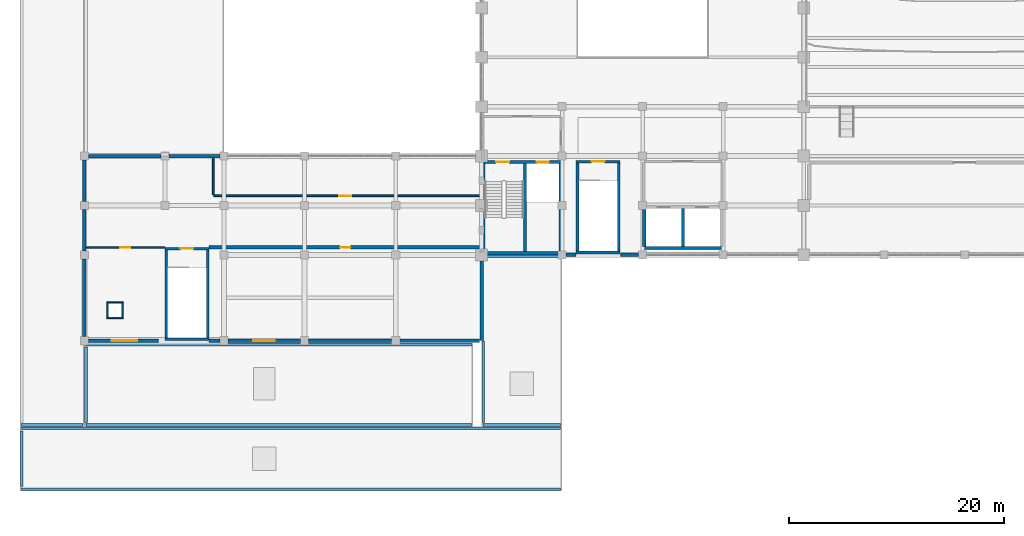
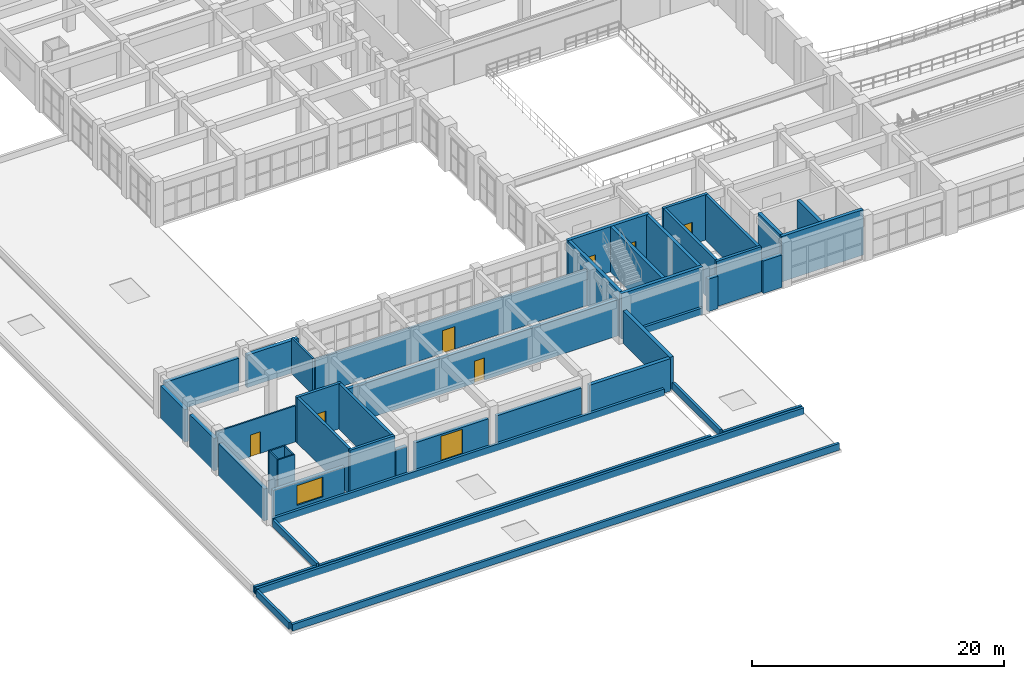
# One storey, part 67 of 90: 47 walls, 7 doors, 2 windows, 9 openings.
"""IFC4 building model written with IfcOpenShell, lengths in metres."""

from ifc_helpers import new_model, si_unit, direction, frame, frame_2d, origin, place, context, subcontext, project, spatial, rectangle, extrude, material, layer, layer_set, type_object, element, fill, save


model = new_model("IFC4")

# Units and contexts
model_context = context("Model", 3, precision=1e-05, world=origin(), true_north=direction((0.0, 1.0)))
body_context = subcontext(model_context, "Body", "Model", "MODEL_VIEW")
ifc_project = project(units=[si_unit("LENGTHUNIT", "METRE"), si_unit("AREAUNIT", "SQUARE_METRE"), si_unit("VOLUMEUNIT", "CUBIC_METRE"), si_unit("PLANEANGLEUNIT", "RADIAN"), si_unit("MASSUNIT", "GRAM", prefix="KILO")], contexts=[model_context])

# Site, building, storey
site_placement = place(None, origin())
site = spatial("IfcSite", under=ifc_project, at=site_placement, CompositionType="ELEMENT")
building_placement = place(site_placement, origin())
building = spatial("IfcBuilding", under=site, at=building_placement, Name="Muzn Square Opera House", CompositionType="ELEMENT")
storey_placement = place(building_placement, frame((0.0, 0.0, 9.800048828125)))
storey = spatial("IfcBuildingStorey", under=building, at=storey_placement, Name="L02", CompositionType="ELEMENT", Elevation=9.800048828125)

# Wall, opening, door
ifc_material_1 = material(Name="Acoustic gypsum stud partition", Category="gypsum")
ifc_layer_1 = layer(ifc_material_1, 0.320068359375, Name="Acoustic gypsum stud partition", Category="gypsum")
ifc_layer_set_1 = layer_set([ifc_layer_1], Name="Acoustic gypsum stud partition")
wall_type_1 = type_object("IfcWallType", Name="Acoustic Studio Double Wall 320mm", PredefinedType="PARTITIONING", material=ifc_layer_set_1)
wall_1_placement = place(storey_placement, frame((17.60498046875, 22.699951171875, 0.0), z_axis=(0.0, 0.0, 1.0), x_axis=(1.0, 0.0, 0.0)))
wall_1 = element("IfcWall", 1, at=wall_1_placement, inside=storey, type_object=wall_type_1, Name="Interior Partition PW-L02-0273", PredefinedType="PARTITIONING", context=body_context, shape_type="SweptSolid", body=[
    extrude(rectangle(XDim=25.39013671875, YDim=0.320068359375, at=frame_2d((12.695068359375, 0.0))), origin(), (0.0, 0.0, 1.0), 3.5),
])
opening_1_placement = place(wall_1_placement, frame((12.219970703125, 0.0, 0.0)))
opening_1 = element("IfcOpeningElement", 2, at=opening_1_placement, cuts=wall_1, Name="Opening DR-OF95", PredefinedType="OPENING", context=body_context, shape_type="SweptSolid", body=[
    extrude(rectangle(XDim=0.949951171875, YDim=2.14990234375, at=frame_2d((0.47509765625, 1.074951171875))), frame((0.0, 0.169921875, 0.0), z_axis=(0.0, -1.0, 0.0), x_axis=(1.0, 0.0, 0.0)), (0.0, 0.0, 1.0), 0.340087890625),
])
ifc_material_2 = material(Name="Acoustic hardwood leaf", Category="wood")
door_type_1 = type_object("IfcDoorType", Name="Office Room Door 950x2150", OperationType="NOTDEFINED", PredefinedType="DOOR", material=ifc_material_2)
door_1_placement = place(opening_1_placement, origin())
door_1 = element("IfcDoor", 3, at=door_1_placement, inside=storey, type_object=door_type_1, Name="Costume Dyeing and Fitting Studio Door DR-L02-0085", OperationType="SINGLE_SWING_RIGHT", OverallHeight=2.14990234375, OverallWidth=0.949951171875, PredefinedType="DOOR", context=body_context, shape_type="SweptSolid", body=[
    extrude(rectangle(XDim=0.949951171875, YDim=2.14990234375, at=frame_2d((0.47509765625, 1.074951171875))), frame((0.0, 0.02490234375, 0.0), z_axis=(0.0, -1.0, 0.0), x_axis=(1.0, 0.0, 0.0)), (0.0, 0.0, 1.0), 0.050048828125),
])
fill(opening_1, door_1)

# Walls
ifc_material_3 = material(Name="Concrete C45/55", Category="concrete")
ifc_layer_2 = layer(ifc_material_3, 0.25, Name="Concrete C45/55", Category="concrete")
ifc_layer_set_2 = layer_set([ifc_layer_2], Name="Concrete C45/55")
wall_type_2 = type_object("IfcWallType", Name="Aux Stair Enclosure Wall 250mm", PredefinedType="SHEAR", material=ifc_layer_set_2)
wall_2_placement = place(storey_placement, frame((13.5, 14.125, 0.0), z_axis=(0.0, 0.0, 1.0), x_axis=(1.0, 0.0, 0.0)))
element("IfcWall", 4, at=wall_2_placement, inside=storey, type_object=wall_type_2, Name="Escape Stair ST-7 Wall S L02", PredefinedType="SHEAR", context=body_context, shape_type="SweptSolid", body=[
    extrude(rectangle(XDim=4.10009765625, YDim=0.25, at=frame_2d((2.050048828125, 0.0))), origin(), (0.0, 0.0, 1.0), 4.39990234375),
])
for number, where, z_axis, x_axis, name in (
    (5, (13.625, 14.25, 0.0), (0.0, 0.0, 1.0), (0.0, 1.0, 0.0), "Escape Stair ST-7 Wall W L02"),
    (6, (17.47509765625, 14.25, 0.0), (0.0, 0.0, 1.0), (0.0, 1.0, 0.0), "Escape Stair ST-7 Wall E L02"),
):
    element("IfcWall", number, at=place(storey_placement, frame(where, z_axis=z_axis, x_axis=x_axis)), inside=storey, type_object=wall_type_2, Name=name, PredefinedType="SHEAR", context=body_context, shape_type="SweptSolid", body=[
        extrude(rectangle(XDim=8.199951171875, YDim=0.25, at=frame_2d((4.10009765625, 0.0))), origin(), (0.0, 0.0, 1.0), 4.39990234375),
    ])

# Wall, opening, door
wall_3_placement = place(storey_placement, frame((13.5, 22.574951171875, 0.0), z_axis=(0.0, 0.0, 1.0), x_axis=(1.0, 0.0, 0.0)))
wall_3 = element("IfcWall", 7, at=wall_3_placement, inside=storey, type_object=wall_type_2, Name="Escape Stair ST-7 Wall N L02", PredefinedType="SHEAR", context=body_context, shape_type="SweptSolid", body=[
    extrude(rectangle(XDim=4.10009765625, YDim=0.25, at=frame_2d((2.050048828125, 0.0))), origin(), (0.0, 0.0, 1.0), 4.39990234375),
])
opening_2_placement = place(wall_3_placement, frame((1.449951171875, 0.0, 0.0)))
opening_2 = element("IfcOpeningElement", 8, at=opening_2_placement, cuts=wall_3, Name="Opening DR-ST12", PredefinedType="OPENING", context=body_context, shape_type="SweptSolid", body=[
    extrude(rectangle(XDim=1.199951171875, YDim=2.14990234375, at=frame_2d((0.60009765625, 1.074951171875))), frame((0.0, 0.135009765625, 0.0), z_axis=(0.0, -1.0, 0.0), x_axis=(1.0, 0.0, 0.0)), (0.0, 0.0, 1.0), 0.27001953125),
])
ifc_material_4 = material(Name="Galvanised painted steel leaf", Category="metal")
door_type_2 = type_object("IfcDoorType", Name="Core Stair Fire Door 1200x2150", OperationType="NOTDEFINED", PredefinedType="DOOR", material=ifc_material_4)
door_2_placement = place(opening_2_placement, origin())
door_2 = element("IfcDoor", 9, at=door_2_placement, inside=storey, type_object=door_type_2, Name="Escape Stair ST-7 Door L02", OperationType="SINGLE_SWING_RIGHT", OverallHeight=2.14990234375, OverallWidth=1.199951171875, PredefinedType="DOOR", context=body_context, shape_type="SweptSolid", body=[
    extrude(rectangle(XDim=1.199951171875, YDim=2.14990234375, at=frame_2d((0.60009765625, 1.074951171875))), frame((0.0, 0.02490234375, 0.0), z_axis=(0.0, -1.0, 0.0), x_axis=(1.0, 0.0, 0.0)), (0.0, 0.0, 1.0), 0.050048828125),
])
fill(opening_2, door_2)

# Walls
wall_4_placement = place(storey_placement, frame((51.800048828125, 22.22509765625, 0.0), z_axis=(0.0, 0.0, 1.0), x_axis=(1.0, 0.0, 0.0)))
element("IfcWall", 10, at=wall_4_placement, inside=storey, type_object=wall_type_2, Name="Escape Stair ST-11 Wall S L02", PredefinedType="SHEAR", context=body_context, shape_type="SweptSolid", body=[
    extrude(rectangle(XDim=4.099853515625, YDim=0.25, at=frame_2d((2.0498046875, 0.0))), origin(), (0.0, 0.0, 1.0), 4.39990234375),
])
for number, where, z_axis, x_axis, name in (
    (11, (51.925048828125, 22.35009765625, 0.0), (0.0, 0.0, 1.0), (0.0, 1.0, 0.0), "Escape Stair ST-11 Wall W L02"),
    (12, (55.77490234375, 22.35009765625, 0.0), (0.0, 0.0, 1.0), (0.0, 1.0, 0.0), "Escape Stair ST-11 Wall E L02"),
):
    element("IfcWall", number, at=place(storey_placement, frame(where, z_axis=z_axis, x_axis=x_axis)), inside=storey, type_object=wall_type_2, Name=name, PredefinedType="SHEAR", context=body_context, shape_type="SweptSolid", body=[
        extrude(rectangle(XDim=8.199951171875, YDim=0.25, at=frame_2d((4.10009765625, 0.0))), origin(), (0.0, 0.0, 1.0), 4.39990234375),
    ])

# Wall, opening, door
wall_5_placement = place(storey_placement, frame((51.800048828125, 30.675048828125, 0.0), z_axis=(0.0, 0.0, 1.0), x_axis=(1.0, 0.0, 0.0)))
wall_5 = element("IfcWall", 13, at=wall_5_placement, inside=storey, type_object=wall_type_2, Name="Escape Stair ST-11 Wall N L02", PredefinedType="SHEAR", context=body_context, shape_type="SweptSolid", body=[
    extrude(rectangle(XDim=4.099853515625, YDim=0.25, at=frame_2d((2.0498046875, 0.0))), origin(), (0.0, 0.0, 1.0), 4.39990234375),
])
opening_3_placement = place(wall_5_placement, frame((1.449951171875, 0.0, 0.0)))
opening_3 = element("IfcOpeningElement", 14, at=opening_3_placement, cuts=wall_5, Name="Opening DR-ST12", PredefinedType="OPENING", context=body_context, shape_type="SweptSolid", body=[
    extrude(rectangle(XDim=1.199951171875, YDim=2.14990234375, at=frame_2d((0.60009765625, 1.074951171875))), frame((0.0, 0.135009765625, 0.0), z_axis=(0.0, -1.0, 0.0), x_axis=(1.0, 0.0, 0.0)), (0.0, 0.0, 1.0), 0.27001953125),
])
door_3_placement = place(opening_3_placement, origin())
door_3 = element("IfcDoor", 15, at=door_3_placement, inside=storey, type_object=door_type_2, Name="Escape Stair ST-11 Door L02", OperationType="SINGLE_SWING_RIGHT", OverallHeight=2.14990234375, OverallWidth=1.199951171875, PredefinedType="DOOR", context=body_context, shape_type="SweptSolid", body=[
    extrude(rectangle(XDim=1.199951171875, YDim=2.14990234375, at=frame_2d((0.60009765625, 1.074951171875))), frame((0.0, 0.02490234375, 0.0), z_axis=(0.0, -1.0, 0.0), x_axis=(1.0, 0.0, 0.0)), (0.0, 0.0, 1.0), 0.050048828125),
])
fill(opening_3, door_3)

# Walls
ifc_layer_3 = layer(ifc_material_3, 0.300048828125, Name="Concrete C45/55", Category="concrete")
ifc_layer_set_3 = layer_set([ifc_layer_3], Name="Concrete C45/55")
wall_type_3 = type_object("IfcWallType", Name="Core Shear Wall 300mm", PredefinedType="SHEAR", material=ifc_layer_set_3)
wall_6_placement = place(storey_placement, frame((43.0, 22.14990234375, 0.0), z_axis=(0.0, 0.0, 1.0), x_axis=(1.0, 0.0, 0.0)))
element("IfcWall", 16, at=wall_6_placement, inside=storey, type_object=wall_type_3, Name="Core C3 Shear Wall SW-C3-L02-S", PredefinedType="SHEAR", context=body_context, shape_type="SweptSolid", body=[
    extrude(rectangle(XDim=7.5, YDim=0.300048828125, at=frame_2d((3.75, 0.0))), origin(), (0.0, 0.0, 1.0), 4.39990234375),
])
for number, where, z_axis, x_axis, name in (
    (17, (43.14990234375, 22.300048828125, 0.0), (0.0, 0.0, 1.0), (0.0, 1.0, 0.0), "Core C3 Shear Wall SW-C3-L02-W"),
    (18, (50.35009765625, 22.300048828125, 0.0), (0.0, 0.0, 1.0), (0.0, 1.0, 0.0), "Core C3 Shear Wall SW-C3-L02-E"),
    (19, (47.050048828125, 22.300048828125, 0.0), (0.0, 0.0, 1.0), (0.0, 1.0, 0.0), "Core C3 Shear Wall SW-C3-L02-DIV"),
):
    element("IfcWall", number, at=place(storey_placement, frame(where, z_axis=z_axis, x_axis=x_axis)), inside=storey, type_object=wall_type_3, Name=name, PredefinedType="SHEAR", context=body_context, shape_type="SweptSolid", body=[
        extrude(rectangle(XDim=8.199951171875, YDim=0.300048828125, at=frame_2d((4.10009765625, 0.0))), origin(), (0.0, 0.0, 1.0), 4.39990234375),
    ])
wall_7_placement = place(storey_placement, frame((58.0, 22.64990234375, 0.0), z_axis=(0.0, 0.0, 1.0), x_axis=(1.0, 0.0, 0.0)))
element("IfcWall", 20, at=wall_7_placement, inside=storey, type_object=wall_type_3, Name="Lift Bank LBW Shear Wall SW-LBW-L02-S", PredefinedType="SHEAR", context=body_context, shape_type="SweptSolid", body=[
    extrude(rectangle(XDim=7.5, YDim=0.300048828125, at=frame_2d((3.75, 0.0))), origin(), (0.0, 0.0, 1.0), 4.39990234375),
])
for number, where, z_axis, x_axis, name in (
    (21, (58.14990234375, 22.800048828125, 0.0), (0.0, 0.0, 1.0), (0.0, 1.0, 0.0), "Lift Bank LBW Shear Wall SW-LBW-L02-W"),
    (22, (61.75, 22.800048828125, 0.0), (0.0, 0.0, 1.0), (0.0, 1.0, 0.0), "Lift Bank LBW Shear Wall SW-LBW-L02-DIV"),
):
    element("IfcWall", number, at=place(storey_placement, frame(where, z_axis=z_axis, x_axis=x_axis)), inside=storey, type_object=wall_type_3, Name=name, PredefinedType="SHEAR", context=body_context, shape_type="SweptSolid", body=[
        extrude(rectangle(XDim=3.5, YDim=0.300048828125, at=frame_2d((1.75, 0.0))), origin(), (0.0, 0.0, 1.0), 4.39990234375),
    ])

# Wall, openings, doors
wall_8_placement = place(storey_placement, frame((43.0, 30.64990234375, 0.0), z_axis=(0.0, 0.0, 1.0), x_axis=(1.0, 0.0, 0.0)))
wall_8 = element("IfcWall", 23, at=wall_8_placement, inside=storey, type_object=wall_type_3, Name="Core C3 Front Shear Wall L02", PredefinedType="SHEAR", context=body_context, shape_type="SweptSolid", body=[
    extrude(rectangle(XDim=7.5, YDim=0.300048828125, at=frame_2d((3.75, 0.0))), origin(), (0.0, 0.0, 1.0), 4.39990234375),
])
opening_4_placement = place(wall_8_placement, frame((1.35009765625, 0.0, 0.0)))
opening_4 = element("IfcOpeningElement", 24, at=opening_4_placement, cuts=wall_8, Name="Opening DR-ST12", PredefinedType="OPENING", context=body_context, shape_type="SweptSolid", body=[
    extrude(rectangle(XDim=1.199951171875, YDim=2.14990234375, at=frame_2d((0.60009765625, 1.074951171875))), frame((0.0, 0.159912109375, 0.0), z_axis=(0.0, -1.0, 0.0), x_axis=(1.0, 0.0, 0.0)), (0.0, 0.0, 1.0), 0.320068359375),
])
opening_5_placement = place(wall_8_placement, frame((5.14990234375, 0.0, 0.0)))
opening_5 = element("IfcOpeningElement", 25, at=opening_5_placement, cuts=wall_8, Name="Opening LD-01", PredefinedType="OPENING", context=body_context, shape_type="SweptSolid", body=[
    extrude(rectangle(XDim=1.10009765625, YDim=2.14990234375, at=frame_2d((0.550048828125, 1.074951171875))), frame((0.0, 0.159912109375, 0.0), z_axis=(0.0, -1.0, 0.0), x_axis=(1.0, 0.0, 0.0)), (0.0, 0.0, 1.0), 0.320068359375),
])
door_4_placement = place(opening_4_placement, origin())
door_4 = element("IfcDoor", 26, at=door_4_placement, inside=storey, type_object=door_type_2, Name="Core C3 Stair Door L02", OperationType="SINGLE_SWING_LEFT", OverallHeight=2.14990234375, OverallWidth=1.199951171875, PredefinedType="DOOR", context=body_context, shape_type="SweptSolid", body=[
    extrude(rectangle(XDim=1.199951171875, YDim=2.14990234375, at=frame_2d((0.60009765625, 1.074951171875))), frame((0.0, 0.02490234375, 0.0), z_axis=(0.0, -1.0, 0.0), x_axis=(1.0, 0.0, 0.0)), (0.0, 0.0, 1.0), 0.050048828125),
])
fill(opening_4, door_4)
ifc_material_5 = material(Name="Brushed stainless steel", Category="metal")
door_type_3 = type_object("IfcDoorType", Name="Lift Landing Sliding Door 1100x2150", OperationType="SLIDING_TO_LEFT", PredefinedType="DOOR", material=ifc_material_5)
door_5_placement = place(opening_5_placement, origin())
door_5 = element("IfcDoor", 27, at=door_5_placement, inside=storey, type_object=door_type_3, Name="Lift PL-1 Sliding Landing Door L02", OperationType="SLIDING_TO_LEFT", OverallHeight=2.14990234375, OverallWidth=1.10009765625, PredefinedType="DOOR", context=body_context, shape_type="SweptSolid", body=[
    extrude(rectangle(XDim=1.10009765625, YDim=2.14990234375, at=frame_2d((0.550048828125, 1.074951171875))), frame((0.0, 0.02490234375, 0.0), z_axis=(0.0, -1.0, 0.0), x_axis=(1.0, 0.0, 0.0)), (0.0, 0.0, 1.0), 0.050048828125),
])
fill(opening_5, door_5)

# Wall, opening, window
ifc_material_6 = material(Name="Concrete C40/50", Category="concrete")
ifc_layer_4 = layer(ifc_material_6, 0.31005859375, Name="Concrete C40/50", Category="concrete")
ifc_layer_set_4 = layer_set([ifc_layer_4], Name="Concrete C40/50")
wall_type_4 = type_object("IfcWallType", Name="Exterior Gallery Facade Wall 310mm", PredefinedType="SOLIDWALL", material=ifc_layer_set_4)
wall_9_placement = place(storey_placement, frame((6.375, 14.0, 0.0), z_axis=(0.0, 0.0, 1.0), x_axis=(1.0, 0.0, 0.0)))
wall_9 = element("IfcWall", 28, at=wall_9_placement, inside=storey, type_object=wall_type_4, Name="Exterior Facade Wall EW-L02-086", PredefinedType="SOLIDWALL", context=body_context, shape_type="SweptSolid", body=[
    extrude(rectangle(XDim=6.544921875, YDim=0.31005859375, at=frame_2d((3.2724609375, 0.0))), origin(), (0.0, 0.0, 1.0), 3.099853515625),
])
opening_6_placement = place(wall_9_placement, frame((2.155029296875, 0.0, 0.89990234375)))
opening_6 = element("IfcOpeningElement", 29, at=opening_6_placement, cuts=wall_9, Name="Opening WN-W2419", PredefinedType="OPENING", context=body_context, shape_type="SweptSolid", body=[
    extrude(rectangle(XDim=2.39990234375, YDim=1.89990234375, at=frame_2d((1.199951171875, 0.949951171875))), frame((0.0, 0.1650390625, 0.0), z_axis=(0.0, -1.0, 0.0), x_axis=(1.0, 0.0, 0.0)), (0.0, 0.0, 1.0), 0.330078125),
])
ifc_material_7 = material(Name="Low-E laminated acoustic double glazing", Category="glass")
window_type_1 = type_object("IfcWindowType", Name="Costume Workshop Window 2400x1900", PartitioningType="DOUBLE_PANEL_VERTICAL", PredefinedType="WINDOW", material=ifc_material_7)
window_1_placement = place(opening_6_placement, origin())
window_1 = element("IfcWindow", 30, at=window_1_placement, inside=storey, type_object=window_type_1, Name="Costume Workshop Window 2400x1900 EW-L02-086-WN01", OverallHeight=1.89990234375, OverallWidth=2.39990234375, PartitioningType="SINGLE_PANEL", PredefinedType="WINDOW", context=body_context, shape_type="SweptSolid", body=[
    extrude(rectangle(XDim=2.39990234375, YDim=1.89990234375, at=frame_2d((1.199951171875, 0.949951171875))), frame((0.0, 0.030029296875, 0.0), z_axis=(0.0, -1.0, 0.0), x_axis=(1.0, 0.0, 0.0)), (0.0, 0.0, 1.0), 0.06005859375),
])
fill(opening_6, window_1)

wall_10_placement = place(storey_placement, frame((19.375, 14.0, 0.0), z_axis=(0.0, 0.0, 1.0), x_axis=(1.0, 0.0, 0.0)))
wall_10 = element("IfcWall", 31, at=wall_10_placement, inside=storey, type_object=wall_type_4, Name="Exterior Facade Wall EW-L02-087", PredefinedType="SOLIDWALL", context=body_context, shape_type="SweptSolid", body=[
    extrude(rectangle(XDim=6.75, YDim=0.31005859375, at=frame_2d((3.375, 0.0))), origin(), (0.0, 0.0, 1.0), 3.14990234375),
])
opening_7_placement = place(wall_10_placement, frame((2.35498046875, 0.0, 0.570068359375)))
opening_7 = element("IfcOpeningElement", 32, at=opening_7_placement, cuts=wall_10, Name="Opening WN-P2024", PredefinedType="OPENING", context=body_context, shape_type="SweptSolid", body=[
    extrude(rectangle(XDim=2.0, YDim=2.39990234375, at=frame_2d((1.0, 1.199951171875))), frame((0.0, 0.1650390625, 0.0), z_axis=(0.0, -1.0, 0.0), x_axis=(1.0, 0.0, 0.0)), (0.0, 0.0, 1.0), 0.330078125),
])
window_type_2 = type_object("IfcWindowType", Name="Promenade Window 2000x2400", PartitioningType="DOUBLE_PANEL_VERTICAL", PredefinedType="WINDOW", material=ifc_material_7)
window_2_placement = place(opening_7_placement, origin())
window_2 = element("IfcWindow", 33, at=window_2_placement, inside=storey, type_object=window_type_2, Name="Promenade Window 2000x2400 EW-L02-087-WN01", OverallHeight=2.39990234375, OverallWidth=2.0, PartitioningType="SINGLE_PANEL", PredefinedType="WINDOW", context=body_context, shape_type="SweptSolid", body=[
    extrude(rectangle(XDim=2.0, YDim=2.39990234375, at=frame_2d((1.0, 1.199951171875))), frame((0.0, 0.030029296875, 0.0), z_axis=(0.0, -1.0, 0.0), x_axis=(1.0, 0.0, 0.0)), (0.0, 0.0, 1.0), 0.06005859375),
])
fill(opening_7, window_2)

# Walls
wall_11_placement = place(storey_placement, frame((26.875, 14.0, 0.0), z_axis=(0.0, 0.0, 1.0), x_axis=(1.0, 0.0, 0.0)))
element("IfcWall", 34, at=wall_11_placement, inside=storey, type_object=wall_type_4, Name="Exterior Facade Wall EW-L02-088", PredefinedType="SOLIDWALL", context=body_context, shape_type="SweptSolid", body=[
    extrude(rectangle(XDim=7.75, YDim=0.31005859375, at=frame_2d((3.875, 0.0))), origin(), (0.0, 0.0, 1.0), 3.14990234375),
])
ifc_layer_5 = layer(ifc_material_6, 0.340087890625, Name="Concrete C40/50", Category="concrete")
ifc_layer_set_5 = layer_set([ifc_layer_5], Name="Concrete C40/50")
wall_type_5 = type_object("IfcWallType", Name="Exterior Insulated Spandrel Wall 340mm", PredefinedType="SOLIDWALL", material=ifc_layer_set_5)
wall_12_placement = place(storey_placement, frame((43.0, 14.0, 0.0), z_axis=(0.0, 0.0, 1.0), x_axis=(0.0, 1.0, 0.0)))
element("IfcWall", 35, at=wall_12_placement, inside=storey, type_object=wall_type_5, Name="Exterior Facade Wall EW-L02-210", PredefinedType="SOLIDWALL", context=body_context, shape_type="SweptSolid", body=[
    extrude(rectangle(XDim=7.449951171875, YDim=0.340087890625, at=frame_2d((3.72509765625, 0.0))), origin(), (0.0, 0.0, 1.0), 3.14990234375),
])
wall_13_placement = place(storey_placement, frame((35.375, 14.0, 0.0), z_axis=(0.0, 0.0, 1.0), x_axis=(1.0, 0.0, 0.0)))
element("IfcWall", 36, at=wall_13_placement, inside=storey, type_object=wall_type_5, Name="Exterior Facade Wall EW-L02-212", PredefinedType="SOLIDWALL", context=body_context, shape_type="SweptSolid", body=[
    extrude(rectangle(XDim=7.425048828125, YDim=0.340087890625, at=frame_2d((3.71240234375, 0.0))), origin(), (0.0, 0.0, 1.0), 3.14990234375),
])
wall_14_placement = place(storey_placement, frame((6.0, 14.375, 0.0), z_axis=(0.0, 0.0, 1.0), x_axis=(0.0, 1.0, 0.0)))
element("IfcWall", 37, at=wall_14_placement, inside=storey, type_object=wall_type_5, Name="Exterior Facade Wall EW-L02-213", PredefinedType="SOLIDWALL", context=body_context, shape_type="SweptSolid", body=[
    extrude(rectangle(XDim=7.25, YDim=0.340087890625, at=frame_2d((3.625, 0.0))), origin(), (0.0, 0.0, 1.0), 3.099853515625),
])
wall_15_placement = place(storey_placement, frame((6.0, 22.375, 0.0), z_axis=(0.0, 0.0, 1.0), x_axis=(0.0, 1.0, 0.0)))
element("IfcWall", 38, at=wall_15_placement, inside=storey, type_object=wall_type_5, Name="Exterior Facade Wall EW-L02-214", PredefinedType="SOLIDWALL", context=body_context, shape_type="SweptSolid", body=[
    extrude(rectangle(XDim=3.85009765625, YDim=0.340087890625, at=frame_2d((1.925048828125, 0.0))), origin(), (0.0, 0.0, 1.0), 3.14990234375),
])
wall_16_placement = place(storey_placement, frame((6.0, 26.97509765625, 0.0), z_axis=(0.0, 0.0, 1.0), x_axis=(0.0, 1.0, 0.0)))
element("IfcWall", 39, at=wall_16_placement, inside=storey, type_object=wall_type_5, Name="Exterior Facade Wall EW-L02-215", PredefinedType="SOLIDWALL", context=body_context, shape_type="SweptSolid", body=[
    extrude(rectangle(XDim=3.849853515625, YDim=0.340087890625, at=frame_2d((1.9248046875, 0.0))), origin(), (0.0, 0.0, 1.0), 3.14990234375),
])
wall_17_placement = place(storey_placement, frame((6.375, 31.199951171875, 0.0), z_axis=(0.0, 0.0, 1.0), x_axis=(1.0, 0.0, 0.0)))
element("IfcWall", 40, at=wall_17_placement, inside=storey, type_object=wall_type_5, Name="Exterior Facade Wall EW-L02-216", PredefinedType="SOLIDWALL", context=body_context, shape_type="SweptSolid", body=[
    extrude(rectangle(XDim=6.75, YDim=0.340087890625, at=frame_2d((3.375, 0.0))), origin(), (0.0, 0.0, 1.0), 3.14990234375),
])
wall_18_placement = place(storey_placement, frame((13.875, 31.199951171875, 0.0), z_axis=(0.0, 0.0, 1.0), x_axis=(1.0, 0.0, 0.0)))
element("IfcWall", 41, at=wall_18_placement, inside=storey, type_object=wall_type_5, Name="Exterior Facade Wall EW-L02-217", PredefinedType="SOLIDWALL", context=body_context, shape_type="SweptSolid", body=[
    extrude(rectangle(XDim=4.75, YDim=0.340087890625, at=frame_2d((2.375, 0.0))), origin(), (0.0, 0.0, 1.0), 3.14990234375),
])
wall_19_placement = place(storey_placement, frame((50.875, 22.0, 0.0), z_axis=(0.0, 0.0, 1.0), x_axis=(1.0, 0.0, 0.0)))
element("IfcWall", 42, at=wall_19_placement, inside=storey, type_object=wall_type_5, Name="Exterior Facade Wall EW-L02-208", PredefinedType="SOLIDWALL", context=body_context, shape_type="SweptSolid", body=[
    extrude(rectangle(XDim=0.905029296875, YDim=0.340087890625, at=frame_2d((0.45263671875, 0.0))), origin(), (0.0, 0.0, 1.0), 3.14990234375),
])
wall_20_placement = place(storey_placement, frame((55.919921875, 22.0, 0.0), z_axis=(0.0, 0.0, 1.0), x_axis=(1.0, 0.0, 0.0)))
element("IfcWall", 43, at=wall_20_placement, inside=storey, type_object=wall_type_5, Name="Exterior Facade Wall EW-L02-208", PredefinedType="SOLIDWALL", context=body_context, shape_type="SweptSolid", body=[
    extrude(rectangle(XDim=1.705078125, YDim=0.340087890625, at=frame_2d((0.8525390625, 0.0))), origin(), (0.0, 0.0, 1.0), 3.14990234375),
])
wall_21_placement = place(storey_placement, frame((17.6201171875, 14.0, 0.0), z_axis=(0.0, 0.0, 1.0), x_axis=(1.0, 0.0, 0.0)))
element("IfcWall", 44, at=wall_21_placement, inside=storey, type_object=wall_type_5, Name="Exterior Facade Wall EW-L02-211", PredefinedType="SOLIDWALL", context=body_context, shape_type="SweptSolid", body=[
    extrude(rectangle(XDim=1.0048828125, YDim=0.340087890625, at=frame_2d((0.50244140625, 0.0))), origin(), (0.0, 0.0, 1.0), 3.099853515625),
])
ifc_material_8 = material(Name="Precast concrete C40/50", Category="concrete")
ifc_layer_6 = layer(ifc_material_8, 0.239990234375, Name="Precast concrete C40/50", Category="concrete")
ifc_layer_set_6 = layer_set([ifc_layer_6], Name="Precast concrete C40/50")
wall_type_6 = type_object("IfcWallType", Name="Roof Parapet Wall 240mm", PredefinedType="PARAPET", material=ifc_layer_set_6)
for number, where, z_axis, x_axis, name in (
    (45, (0.14990234375, 0.14990234375, 0.0), (0.0, 0.0, 1.0), (1.0, 0.0, 0.0), "Roof Parapet ROOF-L02-COL-WS-S"),
    (46, (0.14990234375, 5.85009765625, 0.0), (0.0, 0.0, 1.0), (1.0, 0.0, 0.0), "Roof Parapet ROOF-L02-COL-WS-N"),
):
    element("IfcWall", number, at=place(storey_placement, frame(where, z_axis=z_axis, x_axis=x_axis)), inside=storey, type_object=wall_type_6, Name=name, PredefinedType="PARAPET", context=body_context, shape_type="SweptSolid", body=[
        extrude(rectangle(XDim=50.2001953125, YDim=0.239990234375, at=frame_2d((25.10009765625, 0.0))), origin(), (0.0, 0.0, 1.0), 0.64990234375),
    ])
wall_22_placement = place(storey_placement, frame((0.14990234375, 0.39990234375, 0.0), z_axis=(0.0, 0.0, 1.0), x_axis=(0.0, 1.0, 0.0)))
element("IfcWall", 47, at=wall_22_placement, inside=storey, type_object=wall_type_6, Name="Roof Parapet ROOF-L02-COL-WS-W", PredefinedType="PARAPET", context=body_context, shape_type="SweptSolid", body=[
    extrude(rectangle(XDim=5.2001953125, YDim=0.239990234375, at=frame_2d((2.60009765625, 0.0))), origin(), (0.0, 0.0, 1.0), 0.64990234375),
])
for number, where, z_axis, x_axis, name in (
    (48, (43.14990234375, 6.14990234375, 0.0), (0.0, 0.0, 1.0), (1.0, 0.0, 0.0), "Roof Parapet ROOF-L02-COL-WFC-S"),
    (49, (43.14990234375, 21.85009765625, 0.0), (0.0, 0.0, 1.0), (1.0, 0.0, 0.0), "Roof Parapet ROOF-L02-COL-WFC-N"),
):
    element("IfcWall", number, at=place(storey_placement, frame(where, z_axis=z_axis, x_axis=x_axis)), inside=storey, type_object=wall_type_6, Name=name, PredefinedType="PARAPET", context=body_context, shape_type="SweptSolid", body=[
        extrude(rectangle(XDim=7.2001953125, YDim=0.239990234375, at=frame_2d((3.60009765625, 0.0))), origin(), (0.0, 0.0, 1.0), 0.64990234375),
    ])
wall_23_placement = place(storey_placement, frame((0.14990234375, 6.14990234375, 0.0), z_axis=(0.0, 0.0, 1.0), x_axis=(1.0, 0.0, 0.0)))
element("IfcWall", 50, at=wall_23_placement, inside=storey, type_object=wall_type_6, Name="Roof Parapet ROOF-L02-COL-WB-S", PredefinedType="PARAPET", context=body_context, shape_type="SweptSolid", body=[
    extrude(rectangle(XDim=5.7001953125, YDim=0.239990234375, at=frame_2d((2.85009765625, 0.0))), origin(), (0.0, 0.0, 1.0), 0.64990234375),
])
for number, where, z_axis, x_axis, name in (
    (51, (6.14990234375, 6.14990234375, 0.0), (0.0, 0.0, 1.0), (1.0, 0.0, 0.0), "Roof Parapet ROOF-L02-WSSTEP-S"),
    (52, (6.14990234375, 13.64990234375, 0.0), (0.0, 0.0, 1.0), (1.0, 0.0, 0.0), "Roof Parapet ROOF-L02-WSSTEP-N"),
):
    element("IfcWall", number, at=place(storey_placement, frame(where, z_axis=z_axis, x_axis=x_axis)), inside=storey, type_object=wall_type_6, Name=name, PredefinedType="PARAPET", context=body_context, shape_type="SweptSolid", body=[
        extrude(rectangle(XDim=35.900146484375, YDim=0.239990234375, at=frame_2d((17.9501953125, 0.0))), origin(), (0.0, 0.0, 1.0), 0.64990234375),
    ])
wall_24_placement = place(storey_placement, frame((6.14990234375, 6.39990234375, 0.0), z_axis=(0.0, 0.0, 1.0), x_axis=(0.0, 1.0, 0.0)))
element("IfcWall", 53, at=wall_24_placement, inside=storey, type_object=wall_type_6, Name="Roof Parapet ROOF-L02-WSSTEP-W", PredefinedType="PARAPET", context=body_context, shape_type="SweptSolid", body=[
    extrude(rectangle(XDim=7.0, YDim=0.239990234375, at=frame_2d((3.5, 0.0))), origin(), (0.0, 0.0, 1.0), 0.64990234375),
])
wall_25_placement = place(storey_placement, frame((43.14990234375, 6.39990234375, 0.0), z_axis=(0.0, 0.0, 1.0), x_axis=(0.0, 1.0, 0.0)))
element("IfcWall", 54, at=wall_25_placement, inside=storey, type_object=wall_type_6, Name="Roof Parapet ROOF-L02-COL-WFC-W", PredefinedType="PARAPET", context=body_context, shape_type="SweptSolid", body=[
    extrude(rectangle(XDim=7.580078125, YDim=0.239990234375, at=frame_2d((3.7900390625, 0.0))), origin(), (0.0, 0.0, 1.0), 0.64990234375),
])
ifc_layer_7 = layer(ifc_material_1, 0.1298828125, Name="Acoustic gypsum stud partition", Category="gypsum")
ifc_layer_set_7 = layer_set([ifc_layer_7], Name="Acoustic gypsum stud partition")
wall_type_7 = type_object("IfcWallType", Name="Service Closet Partition 130mm", PredefinedType="PARTITIONING", material=ifc_layer_set_7)
for number, where, z_axis, x_axis, name in (
    (55, (8.070068359375, 16.135009765625, 0.0), (0.0, 0.0, 1.0), (1.0, 0.0, 0.0), "MEP Riser Shaft Wall RSR-WN L02-S"),
    (56, (8.070068359375, 17.56494140625, 0.0), (0.0, 0.0, 1.0), (1.0, 0.0, 0.0), "MEP Riser Shaft Wall RSR-WN L02-N"),
):
    element("IfcWall", number, at=place(storey_placement, frame(where, z_axis=z_axis, x_axis=x_axis)), inside=storey, type_object=wall_type_7, Name=name, PredefinedType="PARTITIONING", context=body_context, shape_type="SweptSolid", body=[
        extrude(rectangle(XDim=1.559814453125, YDim=0.1298828125, at=frame_2d((0.77978515625, 0.0))), origin(), (0.0, 0.0, 1.0), 4.099853515625),
    ])
for number, where, z_axis, x_axis, name in (
    (57, (8.135009765625, 16.199951171875, 0.0), (0.0, 0.0, 1.0), (0.0, 1.0, 0.0), "MEP Riser Shaft Wall RSR-WN L02-W"),
    (58, (9.56494140625, 16.199951171875, 0.0), (0.0, 0.0, 1.0), (0.0, 1.0, 0.0), "MEP Riser Shaft Wall RSR-WN L02-E"),
):
    element("IfcWall", number, at=place(storey_placement, frame(where, z_axis=z_axis, x_axis=x_axis)), inside=storey, type_object=wall_type_7, Name=name, PredefinedType="PARTITIONING", context=body_context, shape_type="SweptSolid", body=[
        extrude(rectangle(XDim=1.300048828125, YDim=0.1298828125, at=frame_2d((0.64990234375, 0.0))), origin(), (0.0, 0.0, 1.0), 4.099853515625),
    ])

# Wall, opening, door
ifc_layer_8 = layer(ifc_material_1, 0.139892578125, Name="Acoustic gypsum stud partition", Category="gypsum")
ifc_layer_set_8 = layer_set([ifc_layer_8], Name="Acoustic gypsum stud partition")
wall_type_8 = type_object("IfcWallType", Name="Wet Room Tile Partition 140mm", PredefinedType="PARTITIONING", material=ifc_layer_set_8)
wall_26_placement = place(storey_placement, frame((6.175048828125, 22.699951171875, 0.0), z_axis=(0.0, 0.0, 1.0), x_axis=(1.0, 0.0, 0.0)))
wall_26 = element("IfcWall", 59, at=wall_26_placement, inside=storey, type_object=wall_type_8, Name="Interior Partition PW-L02-0293", PredefinedType="PARTITIONING", context=body_context, shape_type="SweptSolid", body=[
    extrude(rectangle(XDim=7.320068359375, YDim=0.139892578125, at=frame_2d((3.66015625, 0.0))), origin(), (0.0, 0.0, 1.0), 3.5),
])
opening_8_placement = place(wall_26_placement, frame((3.175048828125, 0.0, 0.0)))
opening_8 = element("IfcOpeningElement", 60, at=opening_8_placement, cuts=wall_26, Name="Opening DR-WC90", PredefinedType="OPENING", context=body_context, shape_type="SweptSolid", body=[
    extrude(rectangle(XDim=0.89990234375, YDim=2.10009765625, at=frame_2d((0.449951171875, 1.050048828125))), frame((0.0, 0.079833984375, 0.0), z_axis=(0.0, -1.0, 0.0), x_axis=(1.0, 0.0, 0.0)), (0.0, 0.0, 1.0), 0.159912109375),
])
door_type_4 = type_object("IfcDoorType", Name="Public WC Lobby Door 900x2100", OperationType="NOTDEFINED", PredefinedType="DOOR", material=ifc_material_2)
door_6_placement = place(opening_8_placement, origin())
door_6 = element("IfcDoor", 61, at=door_6_placement, inside=storey, type_object=door_type_4, Name="West Workshop Staff WC Door DR-L02-0095", OperationType="SINGLE_SWING_LEFT", OverallHeight=2.10009765625, OverallWidth=0.89990234375, PredefinedType="DOOR", context=body_context, shape_type="SweptSolid", body=[
    extrude(rectangle(XDim=0.89990234375, YDim=2.10009765625, at=frame_2d((0.449951171875, 1.050048828125))), frame((0.0, 0.02490234375, 0.0), z_axis=(0.0, -1.0, 0.0), x_axis=(1.0, 0.0, 0.0)), (0.0, 0.0, 1.0), 0.050048828125),
])
fill(opening_8, door_6)

ifc_layer_9 = layer(ifc_material_1, 0.159912109375, Name="Acoustic gypsum stud partition", Category="gypsum")
ifc_layer_set_9 = layer_set([ifc_layer_9], Name="Acoustic gypsum stud partition")
wall_type_9 = type_object("IfcWallType", Name="Workshop Rated Partition 160mm", PredefinedType="PARTITIONING", material=ifc_layer_set_9)
wall_27_placement = place(storey_placement, frame((18.06494140625, 27.5, 0.0), z_axis=(0.0, 0.0, 1.0), x_axis=(1.0, 0.0, 0.0)))
wall_27 = element("IfcWall", 62, at=wall_27_placement, inside=storey, type_object=wall_type_9, Name="Interior Partition PW-L02-0274", PredefinedType="PARTITIONING", context=body_context, shape_type="SweptSolid", body=[
    extrude(rectangle(XDim=24.93017578125, YDim=0.159912109375, at=frame_2d((12.465087890625, 0.0))), origin(), (0.0, 0.0, 1.0), 3.5),
])
opening_9_placement = place(wall_27_placement, frame((11.659912109375, 0.0, 0.0)))
opening_9 = element("IfcOpeningElement", 63, at=opening_9_placement, cuts=wall_27, Name="Opening DR-AR11", PredefinedType="OPENING", context=body_context, shape_type="SweptSolid", body=[
    extrude(rectangle(XDim=1.14990234375, YDim=2.179931640625, at=frame_2d((0.574951171875, 1.08984375))), frame((0.0, 0.08984375, 0.0), z_axis=(0.0, -1.0, 0.0), x_axis=(1.0, 0.0, 0.0)), (0.0, 0.0, 1.0), 0.179931640625),
])
door_type_5 = type_object("IfcDoorType", Name="Archive Fire Door 1150x2180", OperationType="NOTDEFINED", PredefinedType="DOOR", material=ifc_material_4)
door_7_placement = place(opening_9_placement, origin())
door_7 = element("IfcDoor", 64, at=door_7_placement, inside=storey, type_object=door_type_5, Name="Costume Pattern Archive Door DR-L02-0086", OperationType="SINGLE_SWING_LEFT", OverallHeight=2.179931640625, OverallWidth=1.14990234375, PredefinedType="DOOR", context=body_context, shape_type="SweptSolid", body=[
    extrude(rectangle(XDim=1.14990234375, YDim=2.179931640625, at=frame_2d((0.574951171875, 1.08984375))), frame((0.0, 0.02490234375, 0.0), z_axis=(0.0, -1.0, 0.0), x_axis=(1.0, 0.0, 0.0)), (0.0, 0.0, 1.0), 0.050048828125),
])
fill(opening_9, door_7)

# Wall
wall_28_placement = place(storey_placement, frame((18.0, 27.60009765625, 0.0), z_axis=(0.0, 0.0, 1.0), x_axis=(0.0, 1.0, 0.0)))
element("IfcWall", 65, at=wall_28_placement, inside=storey, type_object=wall_type_9, Name="Room Enclosure Partition PW-L02-0328", PredefinedType="PARTITIONING", context=body_context, shape_type="SweptSolid", body=[
    extrude(rectangle(XDim=3.39990234375, YDim=0.159912109375, at=frame_2d((1.699951171875, 0.0))), origin(), (0.0, 0.0, 1.0), 3.5),
])

save(model, "model.ifc")
